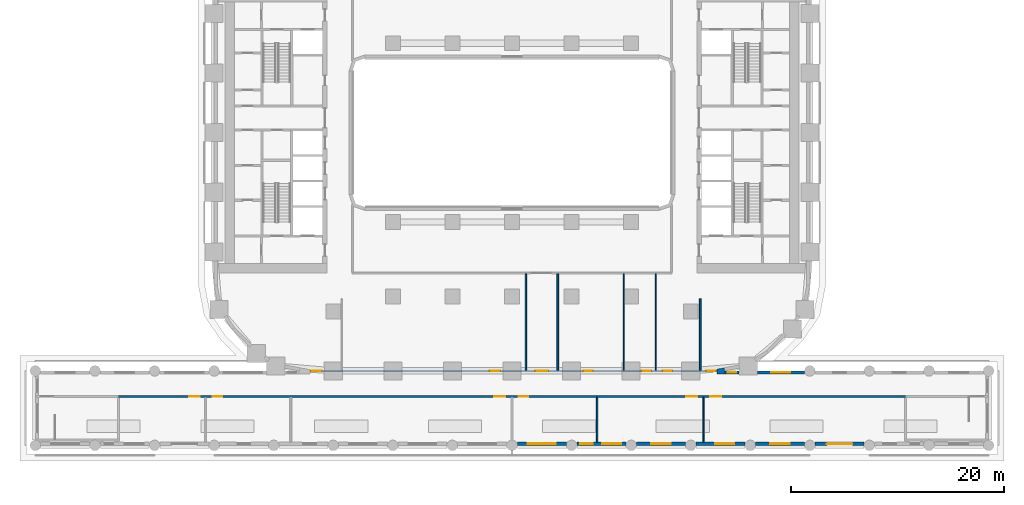
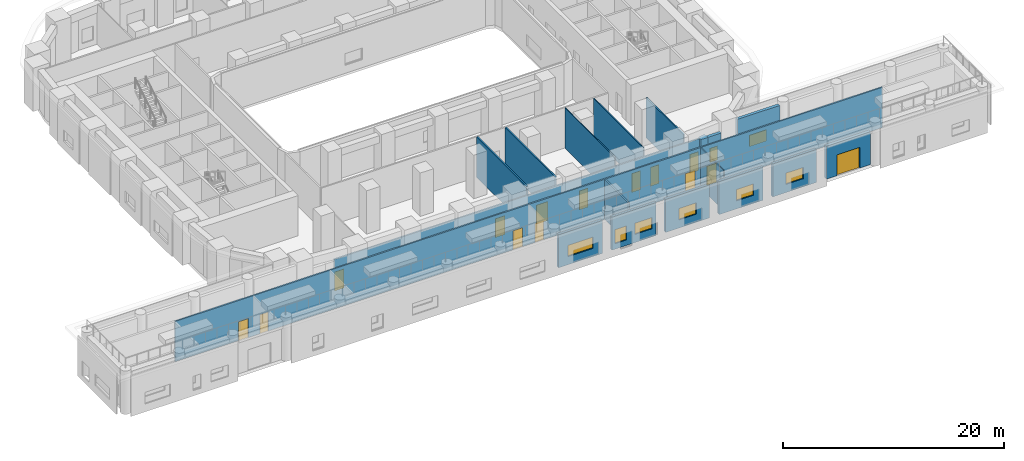
# One storey, part 3 of 13: 18 walls, 14 doors, 8 windows, 22 openings.
"""IFC4 building model written with IfcOpenShell, lengths in metres."""

from ifc_helpers import new_model, si_unit, direction, frame, frame_2d, origin, place, context, subcontext, project, spatial, polyline, rectangle, outline, extrude, material, layer, layer_set, type_object, element, fill, save


model = new_model("IFC4")

# Units and contexts
model_context = context("Model", 3, precision=1e-05, world=origin(), true_north=direction((0.0, 1.0)))
body_context = subcontext(model_context, "Body", "Model", "MODEL_VIEW")
ifc_project = project(units=[si_unit("LENGTHUNIT", "METRE"), si_unit("AREAUNIT", "SQUARE_METRE"), si_unit("VOLUMEUNIT", "CUBIC_METRE"), si_unit("PLANEANGLEUNIT", "RADIAN"), si_unit("MASSUNIT", "GRAM", prefix="KILO")], contexts=[model_context])

# Site, building, storey
site_placement = place(None, origin())
site = spatial("IfcSite", under=ifc_project, at=site_placement, CompositionType="ELEMENT")
building_placement = place(site_placement, origin())
building = spatial("IfcBuilding", under=site, at=building_placement, Name="Kiln Ring Residences", CompositionType="ELEMENT")
storey_placement = place(building_placement, frame((0.0, 0.0, 25.699951171875)))
storey = spatial("IfcBuildingStorey", under=building, at=storey_placement, Name="L05", CompositionType="ELEMENT", Elevation=25.699951171875)

# Wall, opening, window
ifc_material_1 = material(Name="Brick masonry, dark clay brick", Category="masonry")
ifc_layer_1 = layer(ifc_material_1, 0.300048828125)
ifc_layer_set_1 = layer_set([ifc_layer_1], Name="EW-300 BRICK WALL")
wall_type_1 = type_object("IfcWallType", Name="EW-300 BRICK WALL", PredefinedType="SOLIDWALL", material=ifc_layer_set_1)
wall_1_placement = place(storey_placement, frame((27.5, -22.550048828125, 0.0), z_axis=(0.0, 0.0, 1.0), x_axis=(-1.0, 0.0, 0.0)))
wall_1 = element("IfcWall", 1, at=wall_1_placement, inside=storey, type_object=wall_type_1, Name="Facade wall L05 5", PredefinedType="SOLIDWALL", context=body_context, shape_type="SweptSolid", body=[
    extrude(rectangle(XDim=4.44140625, YDim=0.300048828125, at=frame_2d((2.220703125, 0.0))), origin(), (0.0, 0.0, 1.0), 4.449951171875),
])
opening_1_placement = place(wall_1_placement, frame((1.320556640625, 0.0, 0.89990234375)))
opening_1 = element("IfcOpeningElement", 2, at=opening_1_placement, cuts=wall_1, Name="Opening W2", PredefinedType="OPENING", context=body_context, shape_type="SweptSolid", body=[
    extrude(rectangle(XDim=1.800048828125, YDim=1.25, at=frame_2d((0.89990234375, 0.625))), frame((0.0, 0.159912109375, 0.0), z_axis=(0.0, -1.0, 0.0), x_axis=(1.0, 0.0, 0.0)), (0.0, 0.0, 1.0), 0.320068359375),
])
ifc_material_2 = material(Name="Aluminium frame with double glazing", Category="aluminium")
window_type_1 = type_object("IfcWindowType", Name="WINDOW 1800 x 1250", PartitioningType="SINGLE_PANEL", PredefinedType="WINDOW", material=ifc_material_2)
window_1_placement = place(opening_1_placement, origin())
window_1 = element("IfcWindow", 3, at=window_1_placement, inside=storey, type_object=window_type_1, Name="Window L05 6", OverallHeight=1.25, OverallWidth=1.800048828125, PartitioningType="SINGLE_PANEL", PredefinedType="WINDOW", context=body_context, shape_type="SweptSolid", body=[
    extrude(rectangle(XDim=1.800048828125, YDim=1.25, at=frame_2d((0.89990234375, 0.625))), frame((0.0, 0.030029296875, 0.0), z_axis=(0.0, -1.0, 0.0), x_axis=(1.0, 0.0, 0.0)), (0.0, 0.0, 1.0), 0.06005859375),
])
fill(opening_1, window_1)

wall_2_placement = place(storey_placement, frame((21.358642578125, -22.550048828125, 0.0), z_axis=(0.0, 0.0, 1.0), x_axis=(-1.0, 0.0, 0.0)))
wall_2 = element("IfcWall", 4, at=wall_2_placement, inside=storey, type_object=wall_type_1, Name="Facade wall L05 6", PredefinedType="SOLIDWALL", context=body_context, shape_type="SweptSolid", body=[
    extrude(rectangle(XDim=1.358642578125, YDim=0.300048828125, at=frame_2d((0.67919921875, 0.0))), origin(), (0.0, 0.0, 1.0), 3.550048828125),
])
opening_2_placement = place(wall_2_placement, frame((0.279296875, 0.0, 0.60009765625)))
opening_2 = element("IfcOpeningElement", 5, at=opening_2_placement, cuts=wall_2, Name="Opening W5", PredefinedType="OPENING", context=body_context, shape_type="SweptSolid", body=[
    extrude(rectangle(XDim=0.800048828125, YDim=1.550048828125, at=frame_2d((0.39990234375, 0.77490234375))), frame((0.0, 0.159912109375, 0.0), z_axis=(0.0, -1.0, 0.0), x_axis=(1.0, 0.0, 0.0)), (0.0, 0.0, 1.0), 0.320068359375),
])
ifc_material_3 = material(Name="Aluminium frame with double glazing", Category="aluminium")
window_type_2 = type_object("IfcWindowType", Name="WINDOW 800 x 1550", PartitioningType="SINGLE_PANEL", PredefinedType="WINDOW", material=ifc_material_3)
window_2_placement = place(opening_2_placement, origin())
window_2 = element("IfcWindow", 6, at=window_2_placement, inside=storey, type_object=window_type_2, Name="Window L05 7", OverallHeight=1.550048828125, OverallWidth=0.800048828125, PartitioningType="SINGLE_PANEL", PredefinedType="WINDOW", context=body_context, shape_type="SweptSolid", body=[
    extrude(rectangle(XDim=0.800048828125, YDim=1.550048828125, at=frame_2d((0.39990234375, 0.77490234375))), frame((0.0, 0.030029296875, 0.0), z_axis=(0.0, -1.0, 0.0), x_axis=(1.0, 0.0, 0.0)), (0.0, 0.0, 1.0), 0.06005859375),
])
fill(opening_2, window_2)

wall_3_placement = place(storey_placement, frame((0.5, -29.25, 0.0), z_axis=(0.0, 0.0, 1.0), x_axis=(1.0, 0.0, 0.0)))
wall_3 = element("IfcWall", 7, at=wall_3_placement, inside=storey, type_object=wall_type_1, Name="Facade wall L05 61", PredefinedType="SOLIDWALL", context=body_context, shape_type="SweptSolid", body=[
    extrude(rectangle(XDim=4.60009765625, YDim=0.300048828125, at=frame_2d((2.300048828125, 0.0))), origin(), (0.0, 0.0, 1.0), 3.650146484375),
])
opening_3_placement = place(wall_3_placement, frame((1.0, 0.0, 0.89990234375)))
opening_3 = element("IfcOpeningElement", 8, at=opening_3_placement, cuts=wall_3, Name="Opening W3", PredefinedType="OPENING", context=body_context, shape_type="SweptSolid", body=[
    extrude(rectangle(XDim=2.60009765625, YDim=1.25, at=frame_2d((1.300048828125, 0.625))), frame((0.0, 0.159912109375, 0.0), z_axis=(0.0, -1.0, 0.0), x_axis=(1.0, 0.0, 0.0)), (0.0, 0.0, 1.0), 0.320068359375),
])
ifc_material_4 = material(Name="Aluminium frame with double glazing", Category="aluminium")
window_type_3 = type_object("IfcWindowType", Name="WINDOW 2600 x 1250", PartitioningType="SINGLE_PANEL", PredefinedType="WINDOW", material=ifc_material_4)
window_3_placement = place(opening_3_placement, origin())
window_3 = element("IfcWindow", 9, at=window_3_placement, inside=storey, type_object=window_type_3, Name="Window L05 34", OverallHeight=1.25, OverallWidth=2.60009765625, PartitioningType="SINGLE_PANEL", PredefinedType="WINDOW", context=body_context, shape_type="SweptSolid", body=[
    extrude(rectangle(XDim=2.60009765625, YDim=1.25, at=frame_2d((1.300048828125, 0.625))), frame((0.0, 0.030029296875, 0.0), z_axis=(0.0, -1.0, 0.0), x_axis=(1.0, 0.0, 0.0)), (0.0, 0.0, 1.0), 0.06005859375),
])
fill(opening_3, window_3)

# Wall, openings, windows
wall_4_placement = place(storey_placement, frame((6.10009765625, -29.25, 0.0), z_axis=(0.0, 0.0, 1.0), x_axis=(1.0, 0.0, 0.0)))
wall_4 = element("IfcWall", 10, at=wall_4_placement, inside=storey, type_object=wall_type_1, Name="Facade wall L05 62", PredefinedType="SOLIDWALL", context=body_context, shape_type="SweptSolid", body=[
    extrude(rectangle(XDim=4.599853515625, YDim=0.300048828125, at=frame_2d((2.2998046875, 0.0))), origin(), (0.0, 0.0, 1.0), 3.650146484375),
])
opening_4_placement = place(wall_4_placement, frame((0.3125, 0.0, 0.60009765625)))
opening_4 = element("IfcOpeningElement", 11, at=opening_4_placement, cuts=wall_4, Name="Opening W1", PredefinedType="OPENING", context=body_context, shape_type="SweptSolid", body=[
    extrude(rectangle(XDim=1.199951171875, YDim=1.550048828125, at=frame_2d((0.60009765625, 0.77490234375))), frame((0.0, 0.159912109375, 0.0), z_axis=(0.0, -1.0, 0.0), x_axis=(1.0, 0.0, 0.0)), (0.0, 0.0, 1.0), 0.320068359375),
])
opening_5_placement = place(wall_4_placement, frame((2.387451171875, 0.0, 0.89990234375)))
opening_5 = element("IfcOpeningElement", 12, at=opening_5_placement, cuts=wall_4, Name="Opening W2", PredefinedType="OPENING", context=body_context, shape_type="SweptSolid", body=[
    extrude(rectangle(XDim=1.800048828125, YDim=1.25, at=frame_2d((0.89990234375, 0.625))), frame((0.0, 0.159912109375, 0.0), z_axis=(0.0, -1.0, 0.0), x_axis=(1.0, 0.0, 0.0)), (0.0, 0.0, 1.0), 0.320068359375),
])
ifc_material_5 = material(Name="Aluminium frame with double glazing", Category="aluminium")
window_type_4 = type_object("IfcWindowType", Name="WINDOW 1200 x 1550", PartitioningType="SINGLE_PANEL", PredefinedType="WINDOW", material=ifc_material_5)
window_4_placement = place(opening_4_placement, origin())
window_4 = element("IfcWindow", 13, at=window_4_placement, inside=storey, type_object=window_type_4, Name="Window L05 35", OverallHeight=1.550048828125, OverallWidth=1.199951171875, PartitioningType="SINGLE_PANEL", PredefinedType="WINDOW", context=body_context, shape_type="SweptSolid", body=[
    extrude(rectangle(XDim=1.199951171875, YDim=1.550048828125, at=frame_2d((0.60009765625, 0.77490234375))), frame((0.0, 0.030029296875, 0.0), z_axis=(0.0, -1.0, 0.0), x_axis=(1.0, 0.0, 0.0)), (0.0, 0.0, 1.0), 0.06005859375),
])
fill(opening_4, window_4)
window_5_placement = place(opening_5_placement, origin())
window_5 = element("IfcWindow", 14, at=window_5_placement, inside=storey, type_object=window_type_1, Name="Window L05 36", OverallHeight=1.25, OverallWidth=1.800048828125, PartitioningType="SINGLE_PANEL", PredefinedType="WINDOW", context=body_context, shape_type="SweptSolid", body=[
    extrude(rectangle(XDim=1.800048828125, YDim=1.25, at=frame_2d((0.89990234375, 0.625))), frame((0.0, 0.030029296875, 0.0), z_axis=(0.0, -1.0, 0.0), x_axis=(1.0, 0.0, 0.0)), (0.0, 0.0, 1.0), 0.06005859375),
])
fill(opening_5, window_5)

# Wall, opening, window
wall_5_placement = place(storey_placement, frame((11.699951171875, -29.25, 0.0), z_axis=(0.0, 0.0, 1.0), x_axis=(1.0, 0.0, 0.0)))
wall_5 = element("IfcWall", 15, at=wall_5_placement, inside=storey, type_object=wall_type_1, Name="Facade wall L05 63", PredefinedType="SOLIDWALL", context=body_context, shape_type="SweptSolid", body=[
    extrude(rectangle(XDim=4.60009765625, YDim=0.300048828125, at=frame_2d((2.300048828125, 0.0))), origin(), (0.0, 0.0, 1.0), 3.650146484375),
])
opening_6_placement = place(wall_5_placement, frame((1.39990234375, 0.0, 0.89990234375)))
opening_6 = element("IfcOpeningElement", 16, at=opening_6_placement, cuts=wall_5, Name="Opening W2", PredefinedType="OPENING", context=body_context, shape_type="SweptSolid", body=[
    extrude(rectangle(XDim=1.800048828125, YDim=1.25, at=frame_2d((0.89990234375, 0.625))), frame((0.0, 0.159912109375, 0.0), z_axis=(0.0, -1.0, 0.0), x_axis=(1.0, 0.0, 0.0)), (0.0, 0.0, 1.0), 0.320068359375),
])
window_6_placement = place(opening_6_placement, origin())
window_6 = element("IfcWindow", 17, at=window_6_placement, inside=storey, type_object=window_type_1, Name="Window L05 37", OverallHeight=1.25, OverallWidth=1.800048828125, PartitioningType="SINGLE_PANEL", PredefinedType="WINDOW", context=body_context, shape_type="SweptSolid", body=[
    extrude(rectangle(XDim=1.800048828125, YDim=1.25, at=frame_2d((0.89990234375, 0.625))), frame((0.0, 0.030029296875, 0.0), z_axis=(0.0, -1.0, 0.0), x_axis=(1.0, 0.0, 0.0)), (0.0, 0.0, 1.0), 0.06005859375),
])
fill(opening_6, window_6)

wall_6_placement = place(storey_placement, frame((17.300048828125, -29.25, 0.0), z_axis=(0.0, 0.0, 1.0), x_axis=(1.0, 0.0, 0.0)))
wall_6 = element("IfcWall", 18, at=wall_6_placement, inside=storey, type_object=wall_type_1, Name="Facade wall L05 64", PredefinedType="SOLIDWALL", context=body_context, shape_type="SweptSolid", body=[
    extrude(rectangle(XDim=4.599853515625, YDim=0.300048828125, at=frame_2d((2.2998046875, 0.0))), origin(), (0.0, 0.0, 1.0), 3.650146484375),
])
opening_7_placement = place(wall_6_placement, frame((1.78759765625, 0.0, 0.89990234375)))
opening_7 = element("IfcOpeningElement", 19, at=opening_7_placement, cuts=wall_6, Name="Opening W2", PredefinedType="OPENING", context=body_context, shape_type="SweptSolid", body=[
    extrude(rectangle(XDim=1.800048828125, YDim=1.25, at=frame_2d((0.89990234375, 0.625))), frame((0.0, 0.159912109375, 0.0), z_axis=(0.0, -1.0, 0.0), x_axis=(1.0, 0.0, 0.0)), (0.0, 0.0, 1.0), 0.320068359375),
])
window_7_placement = place(opening_7_placement, origin())
window_7 = element("IfcWindow", 20, at=window_7_placement, inside=storey, type_object=window_type_1, Name="Window L05 38", OverallHeight=1.25, OverallWidth=1.800048828125, PartitioningType="SINGLE_PANEL", PredefinedType="WINDOW", context=body_context, shape_type="SweptSolid", body=[
    extrude(rectangle(XDim=1.800048828125, YDim=1.25, at=frame_2d((0.89990234375, 0.625))), frame((0.0, 0.030029296875, 0.0), z_axis=(0.0, -1.0, 0.0), x_axis=(1.0, 0.0, 0.0)), (0.0, 0.0, 1.0), 0.06005859375),
])
fill(opening_7, window_7)

wall_7_placement = place(storey_placement, frame((22.89990234375, -29.25, 0.0), z_axis=(0.0, 0.0, 1.0), x_axis=(1.0, 0.0, 0.0)))
wall_7 = element("IfcWall", 21, at=wall_7_placement, inside=storey, type_object=wall_type_1, Name="Facade wall L05 65", PredefinedType="SOLIDWALL", context=body_context, shape_type="SweptSolid", body=[
    extrude(rectangle(XDim=4.60009765625, YDim=0.300048828125, at=frame_2d((2.300048828125, 0.0))), origin(), (0.0, 0.0, 1.0), 3.650146484375),
])
opening_8_placement = place(wall_7_placement, frame((1.39990234375, 0.0, 0.89990234375)))
opening_8 = element("IfcOpeningElement", 22, at=opening_8_placement, cuts=wall_7, Name="Opening W2", PredefinedType="OPENING", context=body_context, shape_type="SweptSolid", body=[
    extrude(rectangle(XDim=1.800048828125, YDim=1.25, at=frame_2d((0.89990234375, 0.625))), frame((0.0, 0.159912109375, 0.0), z_axis=(0.0, -1.0, 0.0), x_axis=(1.0, 0.0, 0.0)), (0.0, 0.0, 1.0), 0.320068359375),
])
window_8_placement = place(opening_8_placement, origin())
window_8 = element("IfcWindow", 23, at=window_8_placement, inside=storey, type_object=window_type_1, Name="Window L05 39", OverallHeight=1.25, OverallWidth=1.800048828125, PartitioningType="SINGLE_PANEL", PredefinedType="WINDOW", context=body_context, shape_type="SweptSolid", body=[
    extrude(rectangle(XDim=1.800048828125, YDim=1.25, at=frame_2d((0.89990234375, 0.625))), frame((0.0, 0.030029296875, 0.0), z_axis=(0.0, -1.0, 0.0), x_axis=(1.0, 0.0, 0.0)), (0.0, 0.0, 1.0), 0.06005859375),
])
fill(opening_8, window_8)

# Wall, opening, door
wall_8_placement = place(storey_placement, frame((28.5, -29.25, 0.0), z_axis=(0.0, 0.0, 1.0), x_axis=(1.0, 0.0, 0.0)))
wall_8 = element("IfcWall", 24, at=wall_8_placement, inside=storey, type_object=wall_type_1, Name="Facade wall L05 66", PredefinedType="SOLIDWALL", context=body_context, shape_type="SweptSolid", body=[
    extrude(rectangle(XDim=4.60009765625, YDim=0.300048828125, at=frame_2d((2.300048828125, 0.0))), origin(), (0.0, 0.0, 1.0), 3.650146484375),
])
opening_9_placement = place(wall_8_placement, frame((1.10009765625, 0.0, 0.0)))
opening_9 = element("IfcOpeningElement", 25, at=opening_9_placement, cuts=wall_8, Name="Opening EL05-2", PredefinedType="OPENING", context=body_context, shape_type="SweptSolid", body=[
    extrude(rectangle(XDim=2.39990234375, YDim=2.300048828125, at=frame_2d((1.199951171875, 1.14990234375))), frame((0.0, 0.159912109375, 0.0), z_axis=(0.0, -1.0, 0.0), x_axis=(1.0, 0.0, 0.0)), (0.0, 0.0, 1.0), 0.320068359375),
])
ifc_material_6 = material(Name="Aluminium and glass", Category="aluminium")
door_type_1 = type_object("IfcDoorType", Name="TERRACE DOOR 2400 x 2300", OperationType="DOUBLE_DOOR_SINGLE_SWING", PredefinedType="DOOR", material=ifc_material_6)
door_1_placement = place(opening_9_placement, origin())
door_1 = element("IfcDoor", 26, at=door_1_placement, inside=storey, type_object=door_type_1, Name="Terrace door EL05-2", OperationType="SINGLE_SWING_LEFT", OverallHeight=2.300048828125, OverallWidth=2.39990234375, PredefinedType="DOOR", context=body_context, shape_type="SweptSolid", body=[
    extrude(rectangle(XDim=2.39990234375, YDim=2.300048828125, at=frame_2d((1.199951171875, 1.14990234375))), frame((0.0, 0.02490234375, 0.0), z_axis=(0.0, -1.0, 0.0), x_axis=(1.0, 0.0, 0.0)), (0.0, 0.0, 1.0), 0.050048828125),
])
fill(opening_9, door_1)

# Walls
wall_9_placement = place(storey_placement, origin())
element("IfcWall", 27, at=wall_9_placement, inside=storey, type_object=wall_type_1, Name="Corner wall L05 1", PredefinedType="SOLIDWALL", context=body_context, shape_type="SweptSolid", body=[
    extrude(outline(polyline([(19.94384765625, -22.105224609375), (19.2509765625, -22.237548828125), (19.2509765625, -22.699951171875), (20.0, -22.699951171875), (20.0, -22.39990234375), (19.94384765625, -22.105224609375)])), origin(), (0.0, 0.0, 1.0), 3.550048828125),
])
ifc_material_7 = material(Name="Gypsum board on steel studs", Category="steel")
ifc_layer_2 = layer(ifc_material_7, 0.10009765625)
ifc_layer_set_2 = layer_set([ifc_layer_2], Name="PARTITION-100")
wall_type_2 = type_object("IfcWallType", Name="PARTITION-100", PredefinedType="PARTITIONING", material=ifc_layer_set_2)
for number, where, z_axis, x_axis, name in (
    (28, (10.5, -22.324951171875, 0.0), (0.0, 0.0, 1.0), (0.0, 1.0, 0.0), "Partition 022"),
    (29, (13.5, -22.324951171875, 0.0), (0.0, 0.0, 1.0), (0.0, 1.0, 0.0), "Partition 024"),
):
    element("IfcWall", number, at=place(storey_placement, frame(where, z_axis=z_axis, x_axis=x_axis)), inside=storey, type_object=wall_type_2, Name=name, PredefinedType="PARTITIONING", context=body_context, shape_type="SweptSolid", body=[
        extrude(rectangle(XDim=9.050048828125, YDim=0.10009765625, at=frame_2d((4.52490234375, 0.0))), origin(), (0.0, 0.0, 1.0), 4.449951171875),
    ])
wall_10_placement = place(storey_placement, frame((18.0, -29.080078125, 0.0), z_axis=(0.0, 0.0, 1.0), x_axis=(0.0, 1.0, 0.0)))
element("IfcWall", 30, at=wall_10_placement, inside=storey, type_object=wall_type_2, Name="Partition 028", PredefinedType="PARTITIONING", context=body_context, shape_type="SweptSolid", body=[
    extrude(rectangle(XDim=4.205078125, YDim=0.10009765625, at=frame_2d((2.1025390625, 0.0))), origin(), (0.0, 0.0, 1.0), 4.449951171875),
])

# Wall, openings, doors
ifc_material_8 = material(Name="Brick masonry partition", Category="masonry")
ifc_layer_3 = layer(ifc_material_8, 0.14990234375)
ifc_layer_set_3 = layer_set([ifc_layer_3], Name="PARTITION-150-ei60")
wall_type_3 = type_object("IfcWallType", Name="PARTITION-150-ei60", PredefinedType="PARTITIONING", material=ifc_layer_set_3)
wall_11_placement = place(storey_placement, frame((-37.0, -24.800048828125, 0.0), z_axis=(0.0, 0.0, 1.0), x_axis=(1.0, 0.0, 0.0)))
wall_11 = element("IfcWall", 31, at=wall_11_placement, inside=storey, type_object=wall_type_3, Name="Partition 002", PredefinedType="PARTITIONING", context=body_context, shape_type="SweptSolid", body=[
    extrude(rectangle(XDim=74.0, YDim=0.14990234375, at=frame_2d((37.0, 0.0))), origin(), (0.0, 0.0, 1.0), 4.449951171875),
])
opening_10_placement = place(wall_11_placement, frame((6.64990234375, 0.0, 0.0)))
opening_10 = element("IfcOpeningElement", 32, at=opening_10_placement, cuts=wall_11, Name="Opening L05-D008", PredefinedType="OPENING", context=body_context, shape_type="SweptSolid", body=[
    extrude(rectangle(XDim=1.0, YDim=2.10009765625, at=frame_2d((0.5, 1.050048828125))), frame((0.0, 0.0849609375, 0.0), z_axis=(0.0, -1.0, 0.0), x_axis=(1.0, 0.0, 0.0)), (0.0, 0.0, 1.0), 0.169921875),
])
opening_11_placement = place(wall_11_placement, frame((8.85009765625, 0.0, 0.0)))
opening_11 = element("IfcOpeningElement", 33, at=opening_11_placement, cuts=wall_11, Name="Opening L05-D009", PredefinedType="OPENING", context=body_context, shape_type="SweptSolid", body=[
    extrude(rectangle(XDim=0.89990234375, YDim=2.10009765625, at=frame_2d((0.449951171875, 1.050048828125))), frame((0.0, 0.0849609375, 0.0), z_axis=(0.0, -1.0, 0.0), x_axis=(1.0, 0.0, 0.0)), (0.0, 0.0, 1.0), 0.169921875),
])
opening_12_placement = place(wall_11_placement, frame((35.35009765625, 0.0, 0.0)))
opening_12 = element("IfcOpeningElement", 34, at=opening_12_placement, cuts=wall_11, Name="Opening L05-D010", PredefinedType="OPENING", context=body_context, shape_type="SweptSolid", body=[
    extrude(rectangle(XDim=1.0, YDim=2.10009765625, at=frame_2d((0.5, 1.050048828125))), frame((0.0, 0.0849609375, 0.0), z_axis=(0.0, -1.0, 0.0), x_axis=(1.0, 0.0, 0.0)), (0.0, 0.0, 1.0), 0.169921875),
])
opening_13_placement = place(wall_11_placement, frame((37.64990234375, 0.0, 0.0)))
opening_13 = element("IfcOpeningElement", 35, at=opening_13_placement, cuts=wall_11, Name="Opening L05-D011", PredefinedType="OPENING", context=body_context, shape_type="SweptSolid", body=[
    extrude(rectangle(XDim=0.89990234375, YDim=2.10009765625, at=frame_2d((0.449951171875, 1.050048828125))), frame((0.0, 0.0849609375, 0.0), z_axis=(0.0, -1.0, 0.0), x_axis=(1.0, 0.0, 0.0)), (0.0, 0.0, 1.0), 0.169921875),
])
opening_14_placement = place(wall_11_placement, frame((53.39990234375, 0.0, 0.0)))
opening_14 = element("IfcOpeningElement", 36, at=opening_14_placement, cuts=wall_11, Name="Opening L05-D012", PredefinedType="OPENING", context=body_context, shape_type="SweptSolid", body=[
    extrude(rectangle(XDim=1.0, YDim=2.10009765625, at=frame_2d((0.5, 1.050048828125))), frame((0.0, 0.0849609375, 0.0), z_axis=(0.0, -1.0, 0.0), x_axis=(1.0, 0.0, 0.0)), (0.0, 0.0, 1.0), 0.169921875),
])
opening_15_placement = place(wall_11_placement, frame((55.64990234375, 0.0, 0.0)))
opening_15 = element("IfcOpeningElement", 37, at=opening_15_placement, cuts=wall_11, Name="Opening L05-D013", PredefinedType="OPENING", context=body_context, shape_type="SweptSolid", body=[
    extrude(rectangle(XDim=1.0, YDim=2.10009765625, at=frame_2d((0.5, 1.050048828125))), frame((0.0, 0.0849609375, 0.0), z_axis=(0.0, -1.0, 0.0), x_axis=(1.0, 0.0, 0.0)), (0.0, 0.0, 1.0), 0.169921875),
])
ifc_material_9 = material(Name="Steel faced fire door leaf", Category="steel")
door_type_2 = type_object("IfcDoorType", Name="FLAT-DOOR-1000-FR", OperationType="SINGLE_SWING_LEFT", PredefinedType="DOOR", material=ifc_material_9)
door_2_placement = place(opening_10_placement, origin())
door_2 = element("IfcDoor", 38, at=door_2_placement, inside=storey, type_object=door_type_2, Name="Door L05-D008", OperationType="SINGLE_SWING_RIGHT", OverallHeight=2.10009765625, OverallWidth=1.0, PredefinedType="DOOR", context=body_context, shape_type="SweptSolid", body=[
    extrude(rectangle(XDim=1.0, YDim=2.10009765625, at=frame_2d((0.5, 1.050048828125))), frame((0.0, 0.02490234375, 0.0), z_axis=(0.0, -1.0, 0.0), x_axis=(1.0, 0.0, 0.0)), (0.0, 0.0, 1.0), 0.050048828125),
])
fill(opening_10, door_2)
door_3_placement = place(opening_12_placement, origin())
door_3 = element("IfcDoor", 39, at=door_3_placement, inside=storey, type_object=door_type_2, Name="Door L05-D010", OperationType="SINGLE_SWING_RIGHT", OverallHeight=2.10009765625, OverallWidth=1.0, PredefinedType="DOOR", context=body_context, shape_type="SweptSolid", body=[
    extrude(rectangle(XDim=1.0, YDim=2.10009765625, at=frame_2d((0.5, 1.050048828125))), frame((0.0, 0.02490234375, 0.0), z_axis=(0.0, -1.0, 0.0), x_axis=(1.0, 0.0, 0.0)), (0.0, 0.0, 1.0), 0.050048828125),
])
fill(opening_12, door_3)
door_4_placement = place(opening_14_placement, origin())
door_4 = element("IfcDoor", 40, at=door_4_placement, inside=storey, type_object=door_type_2, Name="Door L05-D012", OperationType="SINGLE_SWING_RIGHT", OverallHeight=2.10009765625, OverallWidth=1.0, PredefinedType="DOOR", context=body_context, shape_type="SweptSolid", body=[
    extrude(rectangle(XDim=1.0, YDim=2.10009765625, at=frame_2d((0.5, 1.050048828125))), frame((0.0, 0.02490234375, 0.0), z_axis=(0.0, -1.0, 0.0), x_axis=(1.0, 0.0, 0.0)), (0.0, 0.0, 1.0), 0.050048828125),
])
fill(opening_14, door_4)
door_5_placement = place(opening_15_placement, origin())
door_5 = element("IfcDoor", 41, at=door_5_placement, inside=storey, type_object=door_type_2, Name="Door L05-D013", OperationType="SINGLE_SWING_LEFT", OverallHeight=2.10009765625, OverallWidth=1.0, PredefinedType="DOOR", context=body_context, shape_type="SweptSolid", body=[
    extrude(rectangle(XDim=1.0, YDim=2.10009765625, at=frame_2d((0.5, 1.050048828125))), frame((0.0, 0.02490234375, 0.0), z_axis=(0.0, -1.0, 0.0), x_axis=(1.0, 0.0, 0.0)), (0.0, 0.0, 1.0), 0.050048828125),
])
fill(opening_15, door_5)
ifc_material_10 = material(Name="Steel faced fire door leaf", Category="steel")
door_type_3 = type_object("IfcDoorType", Name="FLAT-DOOR-900-FR", OperationType="SINGLE_SWING_LEFT", PredefinedType="DOOR", material=ifc_material_10)
door_6_placement = place(opening_11_placement, origin())
door_6 = element("IfcDoor", 42, at=door_6_placement, inside=storey, type_object=door_type_3, Name="Door L05-D009", OperationType="SINGLE_SWING_LEFT", OverallHeight=2.10009765625, OverallWidth=0.89990234375, PredefinedType="DOOR", context=body_context, shape_type="SweptSolid", body=[
    extrude(rectangle(XDim=0.89990234375, YDim=2.10009765625, at=frame_2d((0.449951171875, 1.050048828125))), frame((0.0, 0.02490234375, 0.0), z_axis=(0.0, -1.0, 0.0), x_axis=(1.0, 0.0, 0.0)), (0.0, 0.0, 1.0), 0.050048828125),
])
fill(opening_11, door_6)
door_7_placement = place(opening_13_placement, origin())
door_7 = element("IfcDoor", 43, at=door_7_placement, inside=storey, type_object=door_type_3, Name="Door L05-D011", OperationType="SINGLE_SWING_LEFT", OverallHeight=2.10009765625, OverallWidth=0.89990234375, PredefinedType="DOOR", context=body_context, shape_type="SweptSolid", body=[
    extrude(rectangle(XDim=0.89990234375, YDim=2.10009765625, at=frame_2d((0.449951171875, 1.050048828125))), frame((0.0, 0.02490234375, 0.0), z_axis=(0.0, -1.0, 0.0), x_axis=(1.0, 0.0, 0.0)), (0.0, 0.0, 1.0), 0.050048828125),
])
fill(opening_13, door_7)

wall_12_placement = place(storey_placement, frame((-18.97998046875, -22.39990234375, 0.0), z_axis=(0.0, 0.0, 1.0), x_axis=(1.0, 0.0, 0.0)))
wall_12 = element("IfcWall", 44, at=wall_12_placement, inside=storey, type_object=wall_type_3, Name="Partition 005", PredefinedType="PARTITIONING", context=body_context, shape_type="SweptSolid", body=[
    extrude(rectangle(XDim=38.2109375, YDim=0.14990234375, at=frame_2d((19.10546875, 0.0))), origin(), (0.0, 0.0, 1.0), 3.550048828125),
])
opening_16_placement = place(wall_12_placement, frame((21.179931640625, 0.0, 0.0)))
opening_16 = element("IfcOpeningElement", 45, at=opening_16_placement, cuts=wall_12, Name="Opening L05-D005", PredefinedType="OPENING", context=body_context, shape_type="SweptSolid", body=[
    extrude(rectangle(XDim=1.199951171875, YDim=2.10009765625, at=frame_2d((0.60009765625, 1.050048828125))), frame((0.0, 0.0849609375, 0.0), z_axis=(0.0, -1.0, 0.0), x_axis=(1.0, 0.0, 0.0)), (0.0, 0.0, 1.0), 0.169921875),
])
opening_17_placement = place(wall_12_placement, frame((0.080078125, 0.0, 0.0)))
opening_17 = element("IfcOpeningElement", 46, at=opening_17_placement, cuts=wall_12, Name="Opening L05-D014", PredefinedType="OPENING", context=body_context, shape_type="SweptSolid", body=[
    extrude(rectangle(XDim=1.0, YDim=2.10009765625, at=frame_2d((0.5, 1.050048828125))), frame((0.0, 0.0849609375, 0.0), z_axis=(0.0, -1.0, 0.0), x_axis=(1.0, 0.0, 0.0)), (0.0, 0.0, 1.0), 0.169921875),
])
opening_18_placement = place(wall_12_placement, frame((16.8798828125, 0.0, 0.0)))
opening_18 = element("IfcOpeningElement", 47, at=opening_18_placement, cuts=wall_12, Name="Opening L05-D015", PredefinedType="OPENING", context=body_context, shape_type="SweptSolid", body=[
    extrude(rectangle(XDim=1.0, YDim=2.10009765625, at=frame_2d((0.5, 1.050048828125))), frame((0.0, 0.0849609375, 0.0), z_axis=(0.0, -1.0, 0.0), x_axis=(1.0, 0.0, 0.0)), (0.0, 0.0, 1.0), 0.169921875),
])
opening_19_placement = place(wall_12_placement, frame((25.679931640625, 0.0, 0.0)))
opening_19 = element("IfcOpeningElement", 48, at=opening_19_placement, cuts=wall_12, Name="Opening L05-D016", PredefinedType="OPENING", context=body_context, shape_type="SweptSolid", body=[
    extrude(rectangle(XDim=0.89990234375, YDim=2.10009765625, at=frame_2d((0.449951171875, 1.050048828125))), frame((0.0, 0.0849609375, 0.0), z_axis=(0.0, -1.0, 0.0), x_axis=(1.0, 0.0, 0.0)), (0.0, 0.0, 1.0), 0.169921875),
])
opening_20_placement = place(wall_12_placement, frame((31.179931640625, 0.0, 0.0)))
opening_20 = element("IfcOpeningElement", 49, at=opening_20_placement, cuts=wall_12, Name="Opening L05-D017", PredefinedType="OPENING", context=body_context, shape_type="SweptSolid", body=[
    extrude(rectangle(XDim=0.89990234375, YDim=2.10009765625, at=frame_2d((0.449951171875, 1.050048828125))), frame((0.0, 0.0849609375, 0.0), z_axis=(0.0, -1.0, 0.0), x_axis=(1.0, 0.0, 0.0)), (0.0, 0.0, 1.0), 0.169921875),
])
opening_21_placement = place(wall_12_placement, frame((33.1298828125, 0.0, 0.0)))
opening_21 = element("IfcOpeningElement", 50, at=opening_21_placement, cuts=wall_12, Name="Opening L05-D018", PredefinedType="OPENING", context=body_context, shape_type="SweptSolid", body=[
    extrude(rectangle(XDim=0.89990234375, YDim=2.10009765625, at=frame_2d((0.449951171875, 1.050048828125))), frame((0.0, 0.0849609375, 0.0), z_axis=(0.0, -1.0, 0.0), x_axis=(1.0, 0.0, 0.0)), (0.0, 0.0, 1.0), 0.169921875),
])
opening_22_placement = place(wall_12_placement, frame((37.23095703125, 0.0, 0.0)))
opening_22 = element("IfcOpeningElement", 51, at=opening_22_placement, cuts=wall_12, Name="Opening L05-D019", PredefinedType="OPENING", context=body_context, shape_type="SweptSolid", body=[
    extrude(rectangle(XDim=0.89990234375, YDim=2.10009765625, at=frame_2d((0.449951171875, 1.050048828125))), frame((0.0, 0.0849609375, 0.0), z_axis=(0.0, -1.0, 0.0), x_axis=(1.0, 0.0, 0.0)), (0.0, 0.0, 1.0), 0.169921875),
])
door_8_placement = place(opening_17_placement, origin())
door_8 = element("IfcDoor", 52, at=door_8_placement, inside=storey, type_object=door_type_2, Name="Door L05-D014", OperationType="SINGLE_SWING_RIGHT", OverallHeight=2.10009765625, OverallWidth=1.0, PredefinedType="DOOR", context=body_context, shape_type="SweptSolid", body=[
    extrude(rectangle(XDim=1.0, YDim=2.10009765625, at=frame_2d((0.5, 1.050048828125))), frame((0.0, 0.02490234375, 0.0), z_axis=(0.0, -1.0, 0.0), x_axis=(1.0, 0.0, 0.0)), (0.0, 0.0, 1.0), 0.050048828125),
])
fill(opening_17, door_8)
door_9_placement = place(opening_18_placement, origin())
door_9 = element("IfcDoor", 53, at=door_9_placement, inside=storey, type_object=door_type_2, Name="Door L05-D015", OperationType="SINGLE_SWING_LEFT", OverallHeight=2.10009765625, OverallWidth=1.0, PredefinedType="DOOR", context=body_context, shape_type="SweptSolid", body=[
    extrude(rectangle(XDim=1.0, YDim=2.10009765625, at=frame_2d((0.5, 1.050048828125))), frame((0.0, 0.02490234375, 0.0), z_axis=(0.0, -1.0, 0.0), x_axis=(1.0, 0.0, 0.0)), (0.0, 0.0, 1.0), 0.050048828125),
])
fill(opening_18, door_9)
ifc_material_11 = material(Name="Steel faced fire door leaf", Category="steel")
door_type_4 = type_object("IfcDoorType", Name="FLAT-DOOR-1200-FR", OperationType="SINGLE_SWING_LEFT", PredefinedType="DOOR", material=ifc_material_11)
door_10_placement = place(opening_16_placement, origin())
door_10 = element("IfcDoor", 54, at=door_10_placement, inside=storey, type_object=door_type_4, Name="Door L05-D005", OperationType="SINGLE_SWING_LEFT", OverallHeight=2.10009765625, OverallWidth=1.199951171875, PredefinedType="DOOR", context=body_context, shape_type="SweptSolid", body=[
    extrude(rectangle(XDim=1.199951171875, YDim=2.10009765625, at=frame_2d((0.60009765625, 1.050048828125))), frame((0.0, 0.02490234375, 0.0), z_axis=(0.0, -1.0, 0.0), x_axis=(1.0, 0.0, 0.0)), (0.0, 0.0, 1.0), 0.050048828125),
])
fill(opening_16, door_10)
door_11_placement = place(opening_19_placement, origin())
door_11 = element("IfcDoor", 55, at=door_11_placement, inside=storey, type_object=door_type_3, Name="Door L05-D016", OperationType="SINGLE_SWING_RIGHT", OverallHeight=2.10009765625, OverallWidth=0.89990234375, PredefinedType="DOOR", context=body_context, shape_type="SweptSolid", body=[
    extrude(rectangle(XDim=0.89990234375, YDim=2.10009765625, at=frame_2d((0.449951171875, 1.050048828125))), frame((0.0, 0.02490234375, 0.0), z_axis=(0.0, -1.0, 0.0), x_axis=(1.0, 0.0, 0.0)), (0.0, 0.0, 1.0), 0.050048828125),
])
fill(opening_19, door_11)
door_12_placement = place(opening_20_placement, origin())
door_12 = element("IfcDoor", 56, at=door_12_placement, inside=storey, type_object=door_type_3, Name="Door L05-D017", OperationType="SINGLE_SWING_LEFT", OverallHeight=2.10009765625, OverallWidth=0.89990234375, PredefinedType="DOOR", context=body_context, shape_type="SweptSolid", body=[
    extrude(rectangle(XDim=0.89990234375, YDim=2.10009765625, at=frame_2d((0.449951171875, 1.050048828125))), frame((0.0, 0.02490234375, 0.0), z_axis=(0.0, -1.0, 0.0), x_axis=(1.0, 0.0, 0.0)), (0.0, 0.0, 1.0), 0.050048828125),
])
fill(opening_20, door_12)
door_13_placement = place(opening_21_placement, origin())
door_13 = element("IfcDoor", 57, at=door_13_placement, inside=storey, type_object=door_type_3, Name="Door L05-D018", OperationType="SINGLE_SWING_RIGHT", OverallHeight=2.10009765625, OverallWidth=0.89990234375, PredefinedType="DOOR", context=body_context, shape_type="SweptSolid", body=[
    extrude(rectangle(XDim=0.89990234375, YDim=2.10009765625, at=frame_2d((0.449951171875, 1.050048828125))), frame((0.0, 0.02490234375, 0.0), z_axis=(0.0, -1.0, 0.0), x_axis=(1.0, 0.0, 0.0)), (0.0, 0.0, 1.0), 0.050048828125),
])
fill(opening_21, door_13)
door_14_placement = place(opening_22_placement, origin())
door_14 = element("IfcDoor", 58, at=door_14_placement, inside=storey, type_object=door_type_3, Name="Door L05-D019", OperationType="SINGLE_SWING_LEFT", OverallHeight=2.10009765625, OverallWidth=0.89990234375, PredefinedType="DOOR", context=body_context, shape_type="SweptSolid", body=[
    extrude(rectangle(XDim=0.89990234375, YDim=2.10009765625, at=frame_2d((0.449951171875, 1.050048828125))), frame((0.0, 0.02490234375, 0.0), z_axis=(0.0, -1.0, 0.0), x_axis=(1.0, 0.0, 0.0)), (0.0, 0.0, 1.0), 0.050048828125),
])
fill(opening_22, door_14)

# Walls
for number, where, z_axis, x_axis, name in (
    (59, (1.300048828125, -22.324951171875, 0.0), (0.0, 0.0, 1.0), (0.0, 1.0, 0.0), "Partition 018"),
    (60, (4.300048828125, -22.324951171875, 0.0), (0.0, 0.0, 1.0), (0.0, 1.0, 0.0), "Partition 020"),
):
    element("IfcWall", number, at=place(storey_placement, frame(where, z_axis=z_axis, x_axis=x_axis)), inside=storey, type_object=wall_type_3, Name=name, PredefinedType="PARTITIONING", context=body_context, shape_type="SweptSolid", body=[
        extrude(rectangle(XDim=9.050048828125, YDim=0.14990234375, at=frame_2d((4.52490234375, 0.0))), origin(), (0.0, 0.0, 1.0), 4.449951171875),
    ])
wall_13_placement = place(storey_placement, frame((8.0, -29.080078125, 0.0), z_axis=(0.0, 0.0, 1.0), x_axis=(0.0, 1.0, 0.0)))
element("IfcWall", 61, at=wall_13_placement, inside=storey, type_object=wall_type_3, Name="Partition 021", PredefinedType="PARTITIONING", context=body_context, shape_type="SweptSolid", body=[
    extrude(rectangle(XDim=4.205078125, YDim=0.14990234375, at=frame_2d((2.1025390625, 0.0))), origin(), (0.0, 0.0, 1.0), 4.449951171875),
])
wall_14_placement = place(storey_placement, frame((17.699951171875, -22.324951171875, 0.0), z_axis=(0.0, 0.0, 1.0), x_axis=(0.0, 1.0, 0.0)))
element("IfcWall", 62, at=wall_14_placement, inside=storey, type_object=wall_type_3, Name="Partition 027", PredefinedType="PARTITIONING", context=body_context, shape_type="SweptSolid", body=[
    extrude(rectangle(XDim=6.724853515625, YDim=0.14990234375, at=frame_2d((3.3623046875, 0.0))), origin(), (0.0, 0.0, 1.0), 4.449951171875),
])

save(model, "model.ifc")
